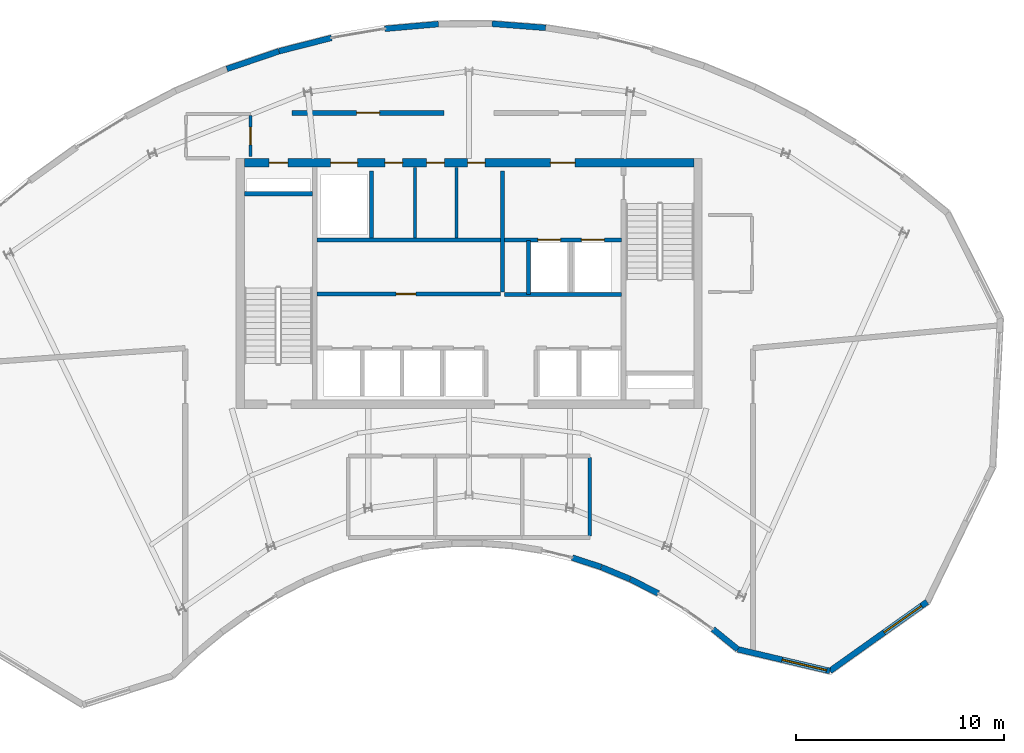
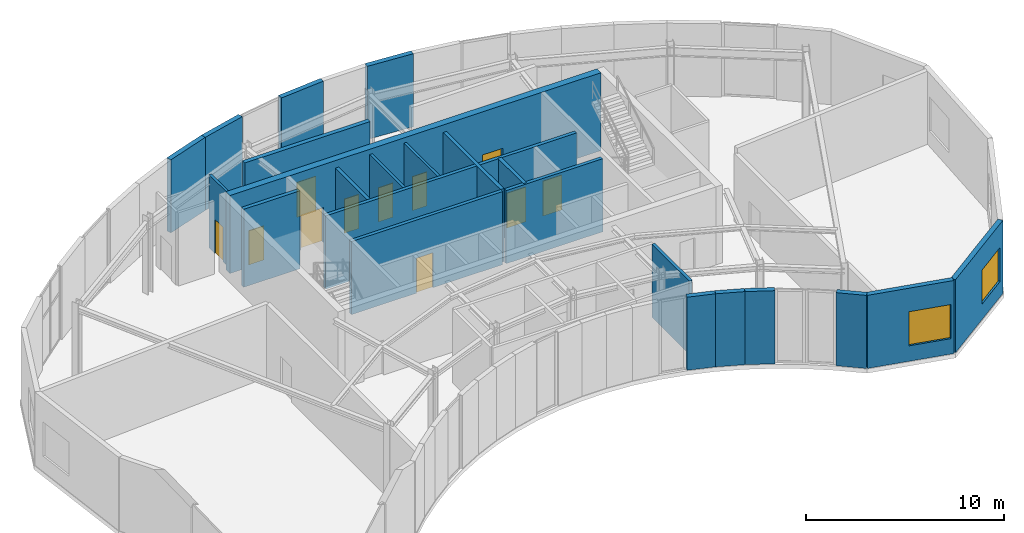
# One storey, part 7 of 10: 24 walls, 11 doors, 2 windows, 13 openings.
"""IFC4 building model written with IfcOpenShell, lengths in metres."""

from ifc_helpers import new_model, si_unit, direction, frame, frame_2d, origin, place, context, subcontext, project, spatial, rectangle, extrude, source, transform, mapped, material, layer, layer_set, type_object, type_shapes, element, fill, save


model = new_model("IFC4")

# Units and contexts
model_context = context("Model", 3, precision=1e-05, world=origin(), true_north=direction((0.0, 1.0)))
body_context = subcontext(model_context, "Body", "Model", "MODEL_VIEW")
ifc_project = project(units=[si_unit("LENGTHUNIT", "METRE"), si_unit("AREAUNIT", "SQUARE_METRE"), si_unit("VOLUMEUNIT", "CUBIC_METRE"), si_unit("PLANEANGLEUNIT", "RADIAN"), si_unit("MASSUNIT", "GRAM", prefix="KILO")], contexts=[model_context])

# Site, building, storey
site_placement = place(None, origin())
site = spatial("IfcSite", under=ifc_project, at=site_placement, CompositionType="ELEMENT")
building_placement = place(site_placement, origin())
building = spatial("IfcBuilding", under=site, at=building_placement, Name="Breltana Convention Tower", CompositionType="ELEMENT")
storey_placement = place(building_placement, frame((0.0, 0.0, 307.800048828125)))
storey = spatial("IfcBuildingStorey", under=building, at=storey_placement, Name="L75", CompositionType="ELEMENT", Elevation=307.800048828125)

# Wall
ifc_material_1 = material(Name="Concrete C50/60", Category="concrete")
ifc_layer_1 = layer(ifc_material_1, 0.39990234375, Name="Concrete C50/60")
ifc_layer_set_1 = layer_set([ifc_layer_1], Name="Concrete C50/60")
wall_type_1 = type_object("IfcWallType", Name="SW-CORE-400", PredefinedType="SHEAR", material=ifc_layer_set_1)
shared_shape_1 = source(origin(), body_context, "Body", "SweptSolid", [
    extrude(rectangle(XDim=3.27001953125, YDim=0.219970703125, at=frame_2d((1.635009765625, 0.0))), origin(), (0.0, 0.0, 1.0), 4.800048828125),
])
wall_1_placement = place(storey_placement, frame((37.199951171875, 70.510009765625, 0.0), z_axis=(0.0, 0.0, 1.0), x_axis=(1.0, 0.0, 0.0)))
element("IfcWall", 1, at=wall_1_placement, inside=storey, type_object=wall_type_1, Name="L75 ST-1 Stairwell North Bearing Wall", PredefinedType="SHEAR", context=body_context, shape_type="MappedRepresentation", body=[
    mapped(shared_shape_1, transform((0.0, 0.0, 0.0), scale=1.0)),
])

# Wall, openings, doors
shared_shape_2 = source(origin(), body_context, "Body", "SweptSolid", [
    extrude(rectangle(XDim=21.60009765625, YDim=0.39990234375, at=frame_2d((10.800048828125, 0.0))), origin(), (0.0, 0.0, 1.0), 4.800048828125),
])
wall_2_placement = place(storey_placement, frame((37.199951171875, 72.0, 0.0), z_axis=(0.0, 0.0, 1.0), x_axis=(1.0, 0.0, 0.0)))
wall_2 = element("IfcWall", 2, at=wall_2_placement, inside=storey, type_object=wall_type_1, Name="L75 North Core Shear Wall", PredefinedType="SHEAR", context=body_context, shape_type="MappedRepresentation", body=[
    mapped(shared_shape_2, transform((0.0, 0.0, 0.0), scale=1.0)),
])
opening_1_placement = place(wall_2_placement, frame((1.199951171875, 0.0, 0.0)))
opening_1 = element("IfcOpeningElement", 3, at=opening_1_placement, cuts=wall_2, Name="Opening D-18", PredefinedType="OPENING", context=body_context, shape_type="SweptSolid", body=[
    extrude(rectangle(XDim=0.89990234375, YDim=2.10009765625, at=frame_2d((0.449951171875, 1.050048828125))), frame((0.0, 0.2099609375, 0.0), z_axis=(0.0, -1.0, 0.0), x_axis=(1.0, 0.0, 0.0)), (0.0, 0.0, 1.0), 0.419921875),
])
opening_2_placement = place(wall_2_placement, frame((14.699951171875, 0.0, 0.0)))
opening_2 = element("IfcOpeningElement", 4, at=opening_2_placement, cuts=wall_2, Name="Opening D-09", PredefinedType="OPENING", context=body_context, shape_type="SweptSolid", body=[
    extrude(rectangle(XDim=1.199951171875, YDim=2.14990234375, at=frame_2d((0.60009765625, 1.074951171875))), frame((0.0, 0.2099609375, 0.0), z_axis=(0.0, -1.0, 0.0), x_axis=(1.0, 0.0, 0.0)), (0.0, 0.0, 1.0), 0.419921875),
])
opening_3_placement = place(wall_2_placement, frame((4.14990234375, 0.0, 0.0)))
opening_3 = element("IfcOpeningElement", 5, at=opening_3_placement, cuts=wall_2, Name="Opening LD-01", PredefinedType="OPENING", context=body_context, shape_type="SweptSolid", body=[
    extrude(rectangle(XDim=1.300048828125, YDim=2.14990234375, at=frame_2d((0.64990234375, 1.074951171875))), frame((0.0, 0.2099609375, 0.0), z_axis=(0.0, -1.0, 0.0), x_axis=(1.0, 0.0, 0.0)), (0.0, 0.0, 1.0), 0.419921875),
])
opening_4_placement = place(wall_2_placement, frame((6.760009765625, 0.0, 0.0)))
opening_4 = element("IfcOpeningElement", 6, at=opening_4_placement, cuts=wall_2, Name="Opening D-20", PredefinedType="OPENING", context=body_context, shape_type="SweptSolid", body=[
    extrude(rectangle(XDim=0.85009765625, YDim=2.10009765625, at=frame_2d((0.425048828125, 1.050048828125))), frame((0.0, 0.2099609375, 0.0), z_axis=(0.0, -1.0, 0.0), x_axis=(1.0, 0.0, 0.0)), (0.0, 0.0, 1.0), 0.419921875),
])
opening_5_placement = place(wall_2_placement, frame((8.760009765625, 0.0, 0.0)))
opening_5 = element("IfcOpeningElement", 7, at=opening_5_placement, cuts=wall_2, Name="Opening D-20", PredefinedType="OPENING", context=body_context, shape_type="SweptSolid", body=[
    extrude(rectangle(XDim=0.85009765625, YDim=2.10009765625, at=frame_2d((0.425048828125, 1.050048828125))), frame((0.0, 0.2099609375, 0.0), z_axis=(0.0, -1.0, 0.0), x_axis=(1.0, 0.0, 0.0)), (0.0, 0.0, 1.0), 0.419921875),
])
opening_6_placement = place(wall_2_placement, frame((10.72509765625, 0.0, 0.0)))
opening_6 = element("IfcOpeningElement", 8, at=opening_6_placement, cuts=wall_2, Name="Opening D-20", PredefinedType="OPENING", context=body_context, shape_type="SweptSolid", body=[
    extrude(rectangle(XDim=0.85009765625, YDim=2.10009765625, at=frame_2d((0.425048828125, 1.050048828125))), frame((0.0, 0.2099609375, 0.0), z_axis=(0.0, -1.0, 0.0), x_axis=(1.0, 0.0, 0.0)), (0.0, 0.0, 1.0), 0.419921875),
])
ifc_material_2 = material(Name="Steel Riser Fire Door", Category="steel")
door_type_1 = type_object("IfcDoorType", Name="DR-FD60-900", OperationType="NOTDEFINED", PredefinedType="DOOR", material=ifc_material_2)
shared_shape_3 = source(origin(), body_context, "Body", "SweptSolid", [
    extrude(rectangle(XDim=0.89990234375, YDim=2.10009765625, at=frame_2d((0.449951171875, 1.050048828125))), frame((0.0, 0.02490234375, 0.0), z_axis=(0.0, -1.0, 0.0), x_axis=(1.0, 0.0, 0.0)), (0.0, 0.0, 1.0), 0.050048828125),
])
type_shapes(door_type_1, [shared_shape_3])
door_1_placement = place(opening_1_placement, origin())
door_1 = element("IfcDoor", 9, at=door_1_placement, inside=storey, type_object=door_type_1, Name="L75 Core Riser Access Door D-L75-RS1", OperationType="SINGLE_SWING_LEFT", OverallHeight=2.10009765625, OverallWidth=0.89990234375, PredefinedType="DOOR", context=body_context, shape_type="MappedRepresentation", body=[
    mapped(shared_shape_3, transform((0.0, 0.0, 0.0), scale=1.0)),
])
fill(opening_1, door_1)
ifc_material_3 = material(Name="Steel Fire Lobby Door", Category="steel")
door_type_2 = type_object("IfcDoorType", Name="DR-FD120-1200", OperationType="NOTDEFINED", PredefinedType="DOOR", material=ifc_material_3)
shared_shape_4 = source(origin(), body_context, "Body", "SweptSolid", [
    extrude(rectangle(XDim=1.199951171875, YDim=2.14990234375, at=frame_2d((0.60009765625, 1.074951171875))), frame((0.0, 0.02490234375, 0.0), z_axis=(0.0, -1.0, 0.0), x_axis=(1.0, 0.0, 0.0)), (0.0, 0.0, 1.0), 0.050048828125),
])
type_shapes(door_type_2, [shared_shape_4])
door_2_placement = place(opening_2_placement, origin())
door_2 = element("IfcDoor", 10, at=door_2_placement, inside=storey, type_object=door_type_2, Name="L75 interior door D-L75-FFL-N", OperationType="SINGLE_SWING_RIGHT", OverallHeight=2.14990234375, OverallWidth=1.199951171875, PredefinedType="DOOR", context=body_context, shape_type="MappedRepresentation", body=[
    mapped(shared_shape_4, transform((0.0, 0.0, 0.0), scale=1.0)),
])
fill(opening_2, door_2)
ifc_material_4 = material(Name="Stainless Steel Brushed", Category="steel")
door_type_3 = type_object("IfcDoorType", Name="DR-LD-SRV-1300", OperationType="DOUBLE_DOOR_SLIDING", PredefinedType="DOOR", material=ifc_material_4)
shared_shape_5 = source(origin(), body_context, "Body", "SweptSolid", [
    extrude(rectangle(XDim=1.300048828125, YDim=2.14990234375, at=frame_2d((0.64990234375, 1.074951171875))), frame((0.0, 0.02490234375, 0.0), z_axis=(0.0, -1.0, 0.0), x_axis=(1.0, 0.0, 0.0)), (0.0, 0.0, 1.0), 0.050048828125),
])
type_shapes(door_type_3, [shared_shape_5])
door_3_placement = place(opening_3_placement, origin())
door_3 = element("IfcDoor", 11, at=door_3_placement, inside=storey, type_object=door_type_3, Name="L75 Lift Landing Door D-L75-LD-SV1", OperationType="DOUBLE_DOOR_SLIDING", OverallHeight=2.14990234375, OverallWidth=1.300048828125, PredefinedType="DOOR", context=body_context, shape_type="MappedRepresentation", body=[
    mapped(shared_shape_5, transform((0.0, 0.0, 0.0), scale=1.0)),
])
fill(opening_3, door_3)
ifc_material_5 = material(Name="Steel Closet Fire Door", Category="steel")
door_type_4 = type_object("IfcDoorType", Name="DR-FD60-850", OperationType="NOTDEFINED", PredefinedType="DOOR", material=ifc_material_5)
shared_shape_6 = source(origin(), body_context, "Body", "SweptSolid", [
    extrude(rectangle(XDim=0.85009765625, YDim=2.10009765625, at=frame_2d((0.425048828125, 1.050048828125))), frame((0.0, 0.02490234375, 0.0), z_axis=(0.0, -1.0, 0.0), x_axis=(1.0, 0.0, 0.0)), (0.0, 0.0, 1.0), 0.050048828125),
])
type_shapes(door_type_4, [shared_shape_6])
door_4_placement = place(opening_4_placement, origin())
door_4 = element("IfcDoor", 12, at=door_4_placement, inside=storey, type_object=door_type_4, Name="L75 interior door D-L75-CRA1", OperationType="SINGLE_SWING_LEFT", OverallHeight=2.10009765625, OverallWidth=0.85009765625, PredefinedType="DOOR", context=body_context, shape_type="MappedRepresentation", body=[
    mapped(shared_shape_6, transform((0.0, 0.0, 0.0), scale=1.0)),
])
fill(opening_4, door_4)
door_5_placement = place(opening_5_placement, origin())
door_5 = element("IfcDoor", 13, at=door_5_placement, inside=storey, type_object=door_type_4, Name="L75 interior door D-L75-CRA2", OperationType="SINGLE_SWING_RIGHT", OverallHeight=2.10009765625, OverallWidth=0.85009765625, PredefinedType="DOOR", context=body_context, shape_type="MappedRepresentation", body=[
    mapped(shared_shape_6, transform((0.0, 0.0, 0.0), scale=1.0)),
])
fill(opening_5, door_5)
door_6_placement = place(opening_6_placement, origin())
door_6 = element("IfcDoor", 14, at=door_6_placement, inside=storey, type_object=door_type_4, Name="L75 interior door D-L75-CRA3", OperationType="SINGLE_SWING_LEFT", OverallHeight=2.10009765625, OverallWidth=0.85009765625, PredefinedType="DOOR", context=body_context, shape_type="MappedRepresentation", body=[
    mapped(shared_shape_6, transform((0.0, 0.0, 0.0), scale=1.0)),
])
fill(opening_6, door_6)

# Wall, opening, window
ifc_material_6 = material(Name="Limestone Buff Insulated Wall", Category="masonry")
ifc_layer_2 = layer(ifc_material_6, 0.280029296875, Name="Limestone Buff Insulated Wall")
ifc_layer_set_2 = layer_set([ifc_layer_2], Name="Limestone Buff Insulated Wall")
wall_type_2 = type_object("IfcWallType", Name="WL-EXT-NOSE-280", PredefinedType="SOLIDWALL", material=ifc_layer_set_2)
shared_shape_7 = source(origin(), body_context, "Body", "SweptSolid", [
    extrude(rectangle(XDim=5.730712890625, YDim=0.280029296875, at=frame_2d((2.865234375, 0.0))), origin(), (0.0, 0.0, 1.0), 4.5),
])
wall_3_placement = place(storey_placement, frame((70.003662109375, 50.9091796875, 0.0), z_axis=(0.0, 0.0, 1.0), x_axis=(-0.815021045908, -0.579431354629, 0.0)))
wall_3 = element("IfcWall", 15, at=wall_3_placement, inside=storey, type_object=wall_type_2, Name="L75 curved limestone nose wall E4", PredefinedType="SOLIDWALL", context=body_context, shape_type="MappedRepresentation", body=[
    mapped(shared_shape_7, transform((0.0, 0.0, 0.0), scale=1.0)),
])
opening_7_placement = place(wall_3_placement, frame((0.332763671875, 0.0, 0.949951171875)))
opening_7 = element("IfcOpeningElement", 16, at=opening_7_placement, cuts=wall_3, Name="Opening W-03", PredefinedType="OPENING", context=body_context, shape_type="SweptSolid", body=[
    extrude(rectangle(XDim=2.199951171875, YDim=2.10009765625, at=frame_2d((1.10009765625, 1.050048828125))), frame((0.0, 0.14990234375, 0.0), z_axis=(0.0, -1.0, 0.0), x_axis=(1.0, 0.0, 0.0)), (0.0, 0.0, 1.0), 0.300048828125),
])
ifc_material_7 = material(Name="Glass Low-E Insulated Window", Category="glass")
window_type = type_object("IfcWindowType", Name="WN-NOSE-2200X2100", PartitioningType="TRIPLE_PANEL_VERTICAL", PredefinedType="WINDOW", material=ifc_material_7)
shared_shape_8 = source(origin(), body_context, "Body", "SweptSolid", [
    extrude(rectangle(XDim=2.199951171875, YDim=2.10009765625, at=frame_2d((1.10009765625, 1.050048828125))), frame((0.0, 0.030029296875, 0.0), z_axis=(0.0, -1.0, 0.0), x_axis=(1.0, 0.0, 0.0)), (0.0, 0.0, 1.0), 0.06005859375),
])
type_shapes(window_type, [shared_shape_8])
window_1_placement = place(opening_7_placement, origin())
window_1 = element("IfcWindow", 17, at=window_1_placement, inside=storey, type_object=window_type, Name="L75 nose window E4", OverallHeight=2.10009765625, OverallWidth=2.199951171875, PartitioningType="TRIPLE_PANEL_VERTICAL", PredefinedType="WINDOW", context=body_context, shape_type="MappedRepresentation", body=[
    mapped(shared_shape_8, transform((0.0, 0.0, 0.0), scale=1.0)),
])
fill(opening_7, window_1)

shared_shape_9 = source(origin(), body_context, "Body", "SweptSolid", [
    extrude(rectangle(XDim=4.546630859375, YDim=0.280029296875, at=frame_2d((2.2734375, 0.0))), origin(), (0.0, 0.0, 1.0), 4.5),
])
wall_4_placement = place(storey_placement, frame((65.3330078125, 47.588623046875, 0.0), z_axis=(0.0, 0.0, 1.0), x_axis=(-0.973332593516, 0.229398479505, 0.0)))
wall_4 = element("IfcWall", 18, at=wall_4_placement, inside=storey, type_object=wall_type_2, Name="L75 curved limestone nose wall E5", PredefinedType="SOLIDWALL", context=body_context, shape_type="MappedRepresentation", body=[
    mapped(shared_shape_9, transform((0.0, 0.0, 0.0), scale=1.0)),
])
opening_8_placement = place(wall_4_placement, frame((0.159912109375, 0.0, 0.949951171875)))
opening_8 = element("IfcOpeningElement", 19, at=opening_8_placement, cuts=wall_4, Name="Opening W-03", PredefinedType="OPENING", context=body_context, shape_type="SweptSolid", body=[
    extrude(rectangle(XDim=2.199951171875, YDim=2.10009765625, at=frame_2d((1.10009765625, 1.050048828125))), frame((0.0, 0.14990234375, 0.0), z_axis=(0.0, -1.0, 0.0), x_axis=(1.0, 0.0, 0.0)), (0.0, 0.0, 1.0), 0.300048828125),
])
window_2_placement = place(opening_8_placement, origin())
window_2 = element("IfcWindow", 20, at=window_2_placement, inside=storey, type_object=window_type, Name="L75 nose window E5", OverallHeight=2.10009765625, OverallWidth=2.199951171875, PartitioningType="TRIPLE_PANEL_VERTICAL", PredefinedType="WINDOW", context=body_context, shape_type="MappedRepresentation", body=[
    mapped(shared_shape_8, transform((0.0, 0.0, 0.0), scale=1.0)),
])
fill(opening_8, window_2)

# Walls
shared_shape_10 = source(origin(), body_context, "Body", "SweptSolid", [
    extrude(rectangle(XDim=1.54345703125, YDim=0.280029296875, at=frame_2d((0.771728515625, 0.0))), origin(), (0.0, 0.0, 1.0), 4.5),
])
wall_5_placement = place(storey_placement, frame((60.90771484375, 48.631591796875, 0.0), z_axis=(0.0, 0.0, 1.0), x_axis=(-0.77582846857, 0.63094388606, 0.0)))
element("IfcWall", 21, at=wall_5_placement, inside=storey, type_object=wall_type_2, Name="L75 curved limestone nose wall E6", PredefinedType="SOLIDWALL", context=body_context, shape_type="MappedRepresentation", body=[
    mapped(shared_shape_10, transform((0.0, 0.0, 0.0), scale=1.0)),
])
shared_shape_11 = source(origin(), body_context, "Body", "SweptSolid", [
    extrude(rectangle(XDim=1.508544921875, YDim=0.280029296875, at=frame_2d((0.75439453125, 0.0))), origin(), (0.0, 0.0, 1.0), 4.5),
])
wall_6_placement = place(storey_placement, frame((57.09375, 51.3154296875, 0.0), z_axis=(0.0, 0.0, 1.0), x_axis=(-0.89169189228, 0.452642871635, 0.0)))
element("IfcWall", 22, at=wall_6_placement, inside=storey, type_object=wall_type_2, Name="L75 curved limestone nose wall E7", PredefinedType="SOLIDWALL", context=body_context, shape_type="MappedRepresentation", body=[
    mapped(shared_shape_11, transform((0.0, 0.0, 0.0), scale=1.0)),
])
shared_shape_12 = source(origin(), body_context, "Body", "SweptSolid", [
    extrude(rectangle(XDim=1.48779296875, YDim=0.280029296875, at=frame_2d((0.743896484375, 0.0))), origin(), (0.0, 0.0, 1.0), 4.5),
])
wall_7_placement = place(storey_placement, frame((55.736328125, 52.00390625, 0.0), z_axis=(0.0, 0.0, 1.0), x_axis=(-0.923261314935, 0.384172545017, 0.0)))
element("IfcWall", 23, at=wall_7_placement, inside=storey, type_object=wall_type_2, Name="L75 curved limestone nose wall E8", PredefinedType="SOLIDWALL", context=body_context, shape_type="MappedRepresentation", body=[
    mapped(shared_shape_12, transform((0.0, 0.0, 0.0), scale=1.0)),
])
shared_shape_13 = source(origin(), body_context, "Body", "SweptSolid", [
    extrude(rectangle(XDim=1.470458984375, YDim=0.280029296875, at=frame_2d((0.7353515625, 0.0))), origin(), (0.0, 0.0, 1.0), 4.5),
])
wall_8_placement = place(storey_placement, frame((54.349609375, 52.580322265625, 0.0), z_axis=(0.0, 0.0, 1.0), x_axis=(-0.950248878954, 0.311491682145, 0.0)))
element("IfcWall", 24, at=wall_8_placement, inside=storey, type_object=wall_type_2, Name="L75 curved limestone nose wall E9", PredefinedType="SOLIDWALL", context=body_context, shape_type="MappedRepresentation", body=[
    mapped(shared_shape_13, transform((0.0, 0.0, 0.0), scale=1.0)),
])
shared_shape_14 = source(origin(), body_context, "Body", "SweptSolid", [
    extrude(rectangle(XDim=2.640380859375, YDim=0.280029296875, at=frame_2d((1.3203125, 0.0))), origin(), (0.0, 0.0, 1.0), 4.5),
])
wall_9_placement = place(storey_placement, frame((36.36376953125, 76.51123046875, 0.0), z_axis=(0.0, 0.0, 1.0), x_axis=(0.946685911962, 0.322158011064, 0.0)))
element("IfcWall", 25, at=wall_9_placement, inside=storey, type_object=wall_type_2, Name="L75 curved limestone nose wall E23", PredefinedType="SOLIDWALL", context=body_context, shape_type="MappedRepresentation", body=[
    mapped(shared_shape_14, transform((0.0, 0.0, 0.0), scale=1.0)),
])
shared_shape_15 = source(origin(), body_context, "Body", "SweptSolid", [
    extrude(rectangle(XDim=2.6142578125, YDim=0.280029296875, at=frame_2d((1.30712890625, 0.0))), origin(), (0.0, 0.0, 1.0), 4.5),
])
wall_10_placement = place(storey_placement, frame((38.86328125, 77.36181640625, 0.0), z_axis=(0.0, 0.0, 1.0), x_axis=(0.969106509315, 0.246642602978, 0.0)))
element("IfcWall", 26, at=wall_10_placement, inside=storey, type_object=wall_type_2, Name="L75 curved limestone nose wall E24", PredefinedType="SOLIDWALL", context=body_context, shape_type="MappedRepresentation", body=[
    mapped(shared_shape_15, transform((0.0, 0.0, 0.0), scale=1.0)),
])
shared_shape_16 = source(origin(), body_context, "Body", "SweptSolid", [
    extrude(rectangle(XDim=2.58251953125, YDim=0.280029296875, at=frame_2d((1.291259765625, 0.0))), origin(), (0.0, 0.0, 1.0), 4.5),
])
wall_11_placement = place(storey_placement, frame((43.954345703125, 78.4423828125, 0.0), z_axis=(0.0, 0.0, 1.0), x_axis=(0.996168946569, 0.087449584851, 0.0)))
element("IfcWall", 27, at=wall_11_placement, inside=storey, type_object=wall_type_2, Name="L75 curved limestone nose wall E25", PredefinedType="SOLIDWALL", context=body_context, shape_type="MappedRepresentation", body=[
    mapped(shared_shape_16, transform((0.0, 0.0, 0.0), scale=1.0)),
])
shared_shape_17 = source(origin(), body_context, "Body", "SweptSolid", [
    extrude(rectangle(XDim=2.581298828125, YDim=0.280029296875, at=frame_2d((1.29052734375, 0.0))), origin(), (0.0, 0.0, 1.0), 4.5),
])
wall_12_placement = place(storey_placement, frame((49.10498046875, 78.68359375, 0.0), z_axis=(0.0, 0.0, 1.0), x_axis=(0.997111514352, -0.075951484161, 0.0)))
element("IfcWall", 28, at=wall_12_placement, inside=storey, type_object=wall_type_2, Name="L75 curved limestone nose wall E27", PredefinedType="SOLIDWALL", context=body_context, shape_type="MappedRepresentation", body=[
    mapped(shared_shape_17, transform((0.0, 0.0, 0.0), scale=1.0)),
])

# Wall, openings, doors
ifc_material_8 = material(Name="Autoclaved Aerated Concrete Block", Category="concrete")
ifc_layer_3 = layer(ifc_material_8, 0.199951171875, Name="Autoclaved Aerated Concrete Block")
ifc_layer_set_3 = layer_set([ifc_layer_3], Name="Autoclaved Aerated Concrete Block")
wall_type_3 = type_object("IfcWallType", Name="WL-SHAFT-200", PredefinedType="SOLIDWALL", material=ifc_layer_set_3)
shared_shape_18 = source(origin(), body_context, "Body", "SweptSolid", [
    extrude(rectangle(XDim=5.6201171875, YDim=0.199951171875, at=frame_2d((2.81005859375, 0.0))), origin(), (0.0, 0.0, 1.0), 4.5),
])
wall_13_placement = place(storey_placement, frame((49.699951171875, 68.300048828125, 0.0), z_axis=(0.0, 0.0, 1.0), x_axis=(1.0, 0.0, 0.0)))
wall_13 = element("IfcWall", 29, at=wall_13_placement, inside=storey, type_object=wall_type_3, Name="L75 interior partition W-L75-FFL-S", PredefinedType="SOLIDWALL", context=body_context, shape_type="MappedRepresentation", body=[
    mapped(shared_shape_18, transform((0.0, 0.0, 0.0), scale=1.0)),
])
opening_9_placement = place(wall_13_placement, frame((1.60009765625, 0.0, 0.0)))
opening_9 = element("IfcOpeningElement", 30, at=opening_9_placement, cuts=wall_13, Name="Opening LD-03", PredefinedType="OPENING", context=body_context, shape_type="SweptSolid", body=[
    extrude(rectangle(XDim=1.10009765625, YDim=2.14990234375, at=frame_2d((0.550048828125, 1.074951171875))), frame((0.0, 0.10986328125, 0.0), z_axis=(0.0, -1.0, 0.0), x_axis=(1.0, 0.0, 0.0)), (0.0, 0.0, 1.0), 0.219970703125),
])
opening_10_placement = place(wall_13_placement, frame((3.699951171875, 0.0, 0.0)))
opening_10 = element("IfcOpeningElement", 31, at=opening_10_placement, cuts=wall_13, Name="Opening LD-03", PredefinedType="OPENING", context=body_context, shape_type="SweptSolid", body=[
    extrude(rectangle(XDim=1.10009765625, YDim=2.14990234375, at=frame_2d((0.550048828125, 1.074951171875))), frame((0.0, 0.10986328125, 0.0), z_axis=(0.0, -1.0, 0.0), x_axis=(1.0, 0.0, 0.0)), (0.0, 0.0, 1.0), 0.219970703125),
])
door_type_5 = type_object("IfcDoorType", Name="DR-LD-FF-1100", OperationType="DOUBLE_DOOR_SLIDING", PredefinedType="DOOR", material=ifc_material_4)
shared_shape_19 = source(origin(), body_context, "Body", "SweptSolid", [
    extrude(rectangle(XDim=1.10009765625, YDim=2.14990234375, at=frame_2d((0.550048828125, 1.074951171875))), frame((0.0, 0.02490234375, 0.0), z_axis=(0.0, -1.0, 0.0), x_axis=(1.0, 0.0, 0.0)), (0.0, 0.0, 1.0), 0.050048828125),
])
type_shapes(door_type_5, [shared_shape_19])
door_7_placement = place(opening_9_placement, origin())
door_7 = element("IfcDoor", 32, at=door_7_placement, inside=storey, type_object=door_type_5, Name="L75 Lift Landing Door D-L75-LD-FL1", OperationType="DOUBLE_DOOR_SLIDING", OverallHeight=2.14990234375, OverallWidth=1.10009765625, PredefinedType="DOOR", context=body_context, shape_type="MappedRepresentation", body=[
    mapped(shared_shape_19, transform((0.0, 0.0, 0.0), scale=1.0)),
])
fill(opening_9, door_7)
door_8_placement = place(opening_10_placement, origin())
door_8 = element("IfcDoor", 33, at=door_8_placement, inside=storey, type_object=door_type_5, Name="L75 Lift Landing Door D-L75-LD-FL2", OperationType="DOUBLE_DOOR_SLIDING", OverallHeight=2.14990234375, OverallWidth=1.10009765625, PredefinedType="DOOR", context=body_context, shape_type="MappedRepresentation", body=[
    mapped(shared_shape_19, transform((0.0, 0.0, 0.0), scale=1.0)),
])
fill(opening_10, door_8)

# Walls
wall_14_placement = place(storey_placement, frame((49.699951171875, 65.679931640625, 0.0), z_axis=(0.0, 0.0, 1.0), x_axis=(1.0, 0.0, 0.0)))
element("IfcWall", 34, at=wall_14_placement, inside=storey, type_object=wall_type_3, Name="L75 interior partition W-L75-FL-S", PredefinedType="SOLIDWALL", context=body_context, shape_type="MappedRepresentation", body=[
    mapped(shared_shape_18, transform((0.0, 0.0, 0.0), scale=1.0)),
])
shared_shape_20 = source(origin(), body_context, "Body", "SweptSolid", [
    extrude(rectangle(XDim=5.800048828125, YDim=0.199951171875, at=frame_2d((2.89990234375, 0.0))), origin(), (0.0, 0.0, 1.0), 4.5),
])
wall_15_placement = place(storey_placement, frame((49.60009765625, 65.800048828125, 0.0), z_axis=(0.0, 0.0, 1.0), x_axis=(0.0, 1.0, 0.0)))
element("IfcWall", 35, at=wall_15_placement, inside=storey, type_object=wall_type_3, Name="L75 interior partition W-L75-FFL-W", PredefinedType="SOLIDWALL", context=body_context, shape_type="MappedRepresentation", body=[
    mapped(shared_shape_20, transform((0.0, 0.0, 0.0), scale=1.0)),
])
shared_shape_21 = source(origin(), body_context, "Body", "SweptSolid", [
    extrude(rectangle(XDim=2.580078125, YDim=0.199951171875, at=frame_2d((1.2900390625, 0.0))), origin(), (0.0, 0.0, 1.0), 4.5),
])
wall_16_placement = place(storey_placement, frame((50.85009765625, 65.679931640625, 0.0), z_axis=(0.0, 0.0, 1.0), x_axis=(0.0, 1.0, 0.0)))
element("IfcWall", 36, at=wall_16_placement, inside=storey, type_object=wall_type_3, Name="L75 interior partition W-L75-FL-W", PredefinedType="SOLIDWALL", context=body_context, shape_type="MappedRepresentation", body=[
    mapped(shared_shape_21, transform((0.0, 0.0, 0.0), scale=1.0)),
])
shared_shape_22 = source(origin(), body_context, "Body", "SweptSolid", [
    extrude(rectangle(XDim=3.2001953125, YDim=0.199951171875, at=frame_2d((1.60009765625, 0.0))), origin(), (0.0, 0.0, 1.0), 4.5),
])
wall_17_placement = place(storey_placement, frame((43.320068359375, 68.39990234375, 0.0), z_axis=(0.0, 0.0, 1.0), x_axis=(0.0, 1.0, 0.0)))
element("IfcWall", 37, at=wall_17_placement, inside=storey, type_object=wall_type_3, Name="L75 interior partition W-L75-SV-E", PredefinedType="SOLIDWALL", context=body_context, shape_type="MappedRepresentation", body=[
    mapped(shared_shape_22, transform((0.0, 0.0, 0.0), scale=1.0)),
])
shared_shape_23 = source(origin(), body_context, "Body", "SweptSolid", [
    extrude(rectangle(XDim=8.800048828125, YDim=0.199951171875, at=frame_2d((4.39990234375, 0.0))), origin(), (0.0, 0.0, 1.0), 4.5),
])
wall_18_placement = place(storey_placement, frame((40.699951171875, 68.300048828125, 0.0), z_axis=(0.0, 0.0, 1.0), x_axis=(1.0, 0.0, 0.0)))
element("IfcWall", 38, at=wall_18_placement, inside=storey, type_object=wall_type_3, Name="L75 interior partition W-L75-SV-S", PredefinedType="SOLIDWALL", context=body_context, shape_type="MappedRepresentation", body=[
    mapped(shared_shape_23, transform((0.0, 0.0, 0.0), scale=1.0)),
])

# Wall, opening, door
wall_19_placement = place(storey_placement, frame((40.699951171875, 65.699951171875, 0.0), z_axis=(0.0, 0.0, 1.0), x_axis=(1.0, 0.0, 0.0)))
wall_19 = element("IfcWall", 39, at=wall_19_placement, inside=storey, type_object=wall_type_3, Name="L75 interior partition W-L75-SH-M-FRONT", PredefinedType="SOLIDWALL", context=body_context, shape_type="MappedRepresentation", body=[
    mapped(shared_shape_23, transform((0.0, 0.0, 0.0), scale=1.0)),
])
opening_11_placement = place(wall_19_placement, frame((3.800048828125, 0.0, 0.0)))
opening_11 = element("IfcOpeningElement", 40, at=opening_11_placement, cuts=wall_19, Name="Opening D-14", PredefinedType="OPENING", context=body_context, shape_type="SweptSolid", body=[
    extrude(rectangle(XDim=0.949951171875, YDim=2.14990234375, at=frame_2d((0.47509765625, 1.074951171875))), frame((0.0, 0.10986328125, 0.0), z_axis=(0.0, -1.0, 0.0), x_axis=(1.0, 0.0, 0.0)), (0.0, 0.0, 1.0), 0.219970703125),
])
ifc_material_9 = material(Name="Timber Solid-Core Fire Door", Category="wood")
door_type_6 = type_object("IfcDoorType", Name="DR-FD60-950", OperationType="NOTDEFINED", PredefinedType="DOOR", material=ifc_material_9)
shared_shape_24 = source(origin(), body_context, "Body", "SweptSolid", [
    extrude(rectangle(XDim=0.949951171875, YDim=2.14990234375, at=frame_2d((0.47509765625, 1.074951171875))), frame((0.0, 0.02490234375, 0.0), z_axis=(0.0, -1.0, 0.0), x_axis=(1.0, 0.0, 0.0)), (0.0, 0.0, 1.0), 0.050048828125),
])
type_shapes(door_type_6, [shared_shape_24])
door_9_placement = place(opening_11_placement, origin())
door_9 = element("IfcDoor", 41, at=door_9_placement, inside=storey, type_object=door_type_6, Name="L75 interior door D-L75-LV7-B2A", OperationType="SINGLE_SWING_RIGHT", OverallHeight=2.14990234375, OverallWidth=0.949951171875, PredefinedType="DOOR", context=body_context, shape_type="MappedRepresentation", body=[
    mapped(shared_shape_24, transform((0.0, 0.0, 0.0), scale=1.0)),
])
fill(opening_11, door_9)

# Walls
ifc_material_10 = material(Name="Gypsum Acoustic Drywall Partition")
ifc_layer_4 = layer(ifc_material_10, 0.14990234375, Name="Gypsum Acoustic Drywall Partition")
ifc_layer_set_4 = layer_set([ifc_layer_4], Name="Gypsum Acoustic Drywall Partition")
wall_type_4 = type_object("IfcWallType", Name="WL-PART-150", PredefinedType="PARTITIONING", material=ifc_layer_set_4)
shared_shape_25 = source(origin(), body_context, "Body", "SweptSolid", [
    extrude(rectangle(XDim=3.380126953125, YDim=0.14990234375, at=frame_2d((1.68994140625, 0.0))), origin(), (0.0, 0.0, 1.0), 4.5),
])
for number, where, z_axis, x_axis, name in (
    (42, (45.39990234375, 68.39990234375, 0.0), (0.0, 0.0, 1.0), (0.0, 1.0, 0.0), "L75 interior partition W-L75-KV-1"),
    (43, (47.39990234375, 68.39990234375, 0.0), (0.0, 0.0, 1.0), (0.0, 1.0, 0.0), "L75 interior partition W-L75-KV-2"),
):
    element("IfcWall", number, at=place(storey_placement, frame(where, z_axis=z_axis, x_axis=x_axis)), inside=storey, type_object=wall_type_4, Name=name, PredefinedType="PARTITIONING", context=body_context, shape_type="MappedRepresentation", body=[
        mapped(shared_shape_25, transform((0.0, 0.0, 0.0), scale=1.0)),
    ])

# Wall, opening, door
shared_shape_26 = source(origin(), body_context, "Body", "SweptSolid", [
    extrude(rectangle(XDim=1.982421875, YDim=0.14990234375, at=frame_2d((0.9912109375, 0.0))), origin(), (0.0, 0.0, 1.0), 4.5),
])
wall_20_placement = place(storey_placement, frame((37.5, 72.300048828125, 0.0), z_axis=(0.0, 0.0, 1.0), x_axis=(0.0, 1.0, 0.0)))
wall_20 = element("IfcWall", 44, at=wall_20_placement, inside=storey, type_object=wall_type_4, Name="L75 interior partition W-L75-CRNE-E", PredefinedType="PARTITIONING", context=body_context, shape_type="MappedRepresentation", body=[
    mapped(shared_shape_26, transform((0.0, 0.0, 0.0), scale=1.0)),
])
opening_12_placement = place(wall_20_placement, frame((0.56640625, 0.0, 0.0)))
opening_12 = element("IfcOpeningElement", 45, at=opening_12_placement, cuts=wall_20, Name="Opening D-20", PredefinedType="OPENING", context=body_context, shape_type="SweptSolid", body=[
    extrude(rectangle(XDim=0.85009765625, YDim=2.10009765625, at=frame_2d((0.425048828125, 1.050048828125))), frame((0.0, 0.0849609375, 0.0), z_axis=(0.0, -1.0, 0.0), x_axis=(1.0, 0.0, 0.0)), (0.0, 0.0, 1.0), 0.169921875),
])
door_10_placement = place(opening_12_placement, origin())
door_10 = element("IfcDoor", 46, at=door_10_placement, inside=storey, type_object=door_type_4, Name="L75 interior door D-L75-CRNE", OperationType="SINGLE_SWING_LEFT", OverallHeight=2.10009765625, OverallWidth=0.85009765625, PredefinedType="DOOR", context=body_context, shape_type="MappedRepresentation", body=[
    mapped(shared_shape_6, transform((0.0, 0.0, 0.0), scale=1.0)),
])
fill(opening_12, door_10)

# Wall
ifc_material_11 = material(Name="Cement Board Wet-Area Partition")
ifc_layer_5 = layer(ifc_material_11, 0.175048828125, Name="Cement Board Wet-Area Partition")
ifc_layer_set_5 = layer_set([ifc_layer_5], Name="Cement Board Wet-Area Partition")
wall_type_5 = type_object("IfcWallType", Name="WL-WET-175", PredefinedType="PARTITIONING", material=ifc_layer_set_5)
shared_shape_27 = source(origin(), body_context, "Body", "SweptSolid", [
    extrude(rectangle(XDim=3.7626953125, YDim=0.175048828125, at=frame_2d((1.88134765625, 0.0))), origin(), (0.0, 0.0, 1.0), 4.5),
])
wall_21_placement = place(storey_placement, frame((53.800048828125, 54.07861328125, 0.0), z_axis=(0.0, 0.0, 1.0), x_axis=(0.0, 1.0, 0.0)))
element("IfcWall", 47, at=wall_21_placement, inside=storey, type_object=wall_type_5, Name="L75 interior partition W-L75-WCA-E", PredefinedType="PARTITIONING", context=body_context, shape_type="MappedRepresentation", body=[
    mapped(shared_shape_27, transform((0.0, 0.0, 0.0), scale=1.0)),
])

# Wall, opening, door
ifc_material_12 = material(Name="Gypsum Acoustic Double Stud Wall")
ifc_layer_6 = layer(ifc_material_12, 0.25, Name="Gypsum Acoustic Double Stud Wall")
ifc_layer_set_6 = layer_set([ifc_layer_6], Name="Gypsum Acoustic Double Stud Wall")
wall_type_6 = type_object("IfcWallType", Name="WL-ACOUSTIC-250", PredefinedType="PARTITIONING", material=ifc_layer_set_6)
shared_shape_28 = source(origin(), body_context, "Body", "SweptSolid", [
    extrude(rectangle(XDim=7.300048828125, YDim=0.25, at=frame_2d((3.64990234375, 0.0))), origin(), (0.0, 0.0, 1.0), 4.5),
])
wall_22_placement = place(storey_placement, frame((39.5, 74.39990234375, 0.0), z_axis=(0.0, 0.0, 1.0), x_axis=(1.0, 0.0, 0.0)))
wall_22 = element("IfcWall", 48, at=wall_22_placement, inside=storey, type_object=wall_type_6, Name="L75 interior partition W-L75-EXN1-S", PredefinedType="PARTITIONING", context=body_context, shape_type="MappedRepresentation", body=[
    mapped(shared_shape_28, transform((0.0, 0.0, 0.0), scale=1.0)),
])
opening_13_placement = place(wall_22_placement, frame((3.10009765625, 0.0, 0.0)))
opening_13 = element("IfcOpeningElement", 49, at=opening_13_placement, cuts=wall_22, Name="Opening D-12", PredefinedType="OPENING", context=body_context, shape_type="SweptSolid", body=[
    extrude(rectangle(XDim=1.10009765625, YDim=2.14990234375, at=frame_2d((0.550048828125, 1.074951171875))), frame((0.0, 0.135009765625, 0.0), z_axis=(0.0, -1.0, 0.0), x_axis=(1.0, 0.0, 0.0)), (0.0, 0.0, 1.0), 0.27001953125),
])
ifc_material_13 = material(Name="Timber Oak Acoustic Door", Category="wood")
door_type_7 = type_object("IfcDoorType", Name="DR-INT-1100", OperationType="NOTDEFINED", PredefinedType="DOOR", material=ifc_material_13)
shared_shape_29 = source(origin(), body_context, "Body", "SweptSolid", [
    extrude(rectangle(XDim=1.10009765625, YDim=2.14990234375, at=frame_2d((0.550048828125, 1.074951171875))), frame((0.0, 0.02490234375, 0.0), z_axis=(0.0, -1.0, 0.0), x_axis=(1.0, 0.0, 0.0)), (0.0, 0.0, 1.0), 0.050048828125),
])
type_shapes(door_type_7, [shared_shape_29])
door_11_placement = place(opening_13_placement, origin())
door_11 = element("IfcDoor", 50, at=door_11_placement, inside=storey, type_object=door_type_7, Name="L75 interior door D-L75-EXN1", OperationType="SINGLE_SWING_RIGHT", OverallHeight=2.14990234375, OverallWidth=1.10009765625, PredefinedType="DOOR", context=body_context, shape_type="MappedRepresentation", body=[
    mapped(shared_shape_29, transform((0.0, 0.0, 0.0), scale=1.0)),
])
fill(opening_13, door_11)

save(model, "model.ifc")
